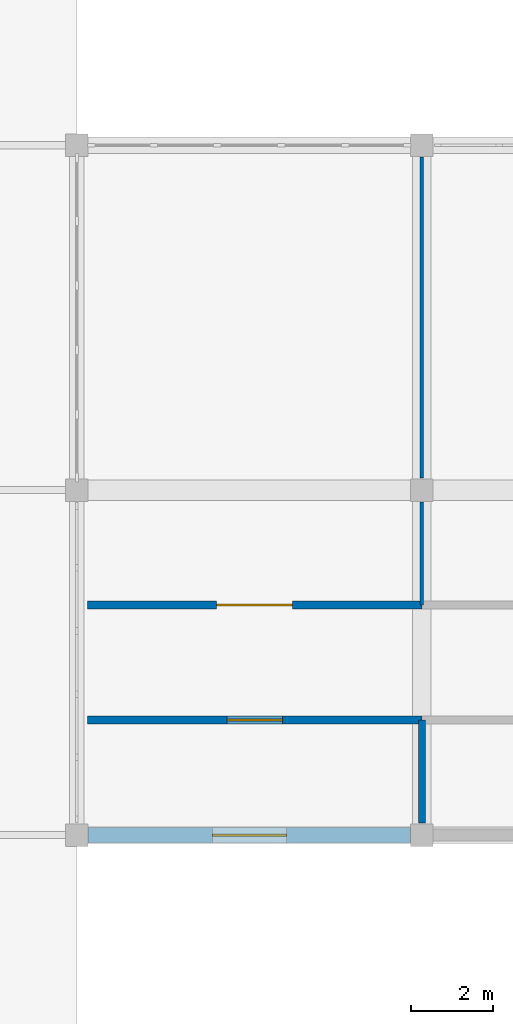
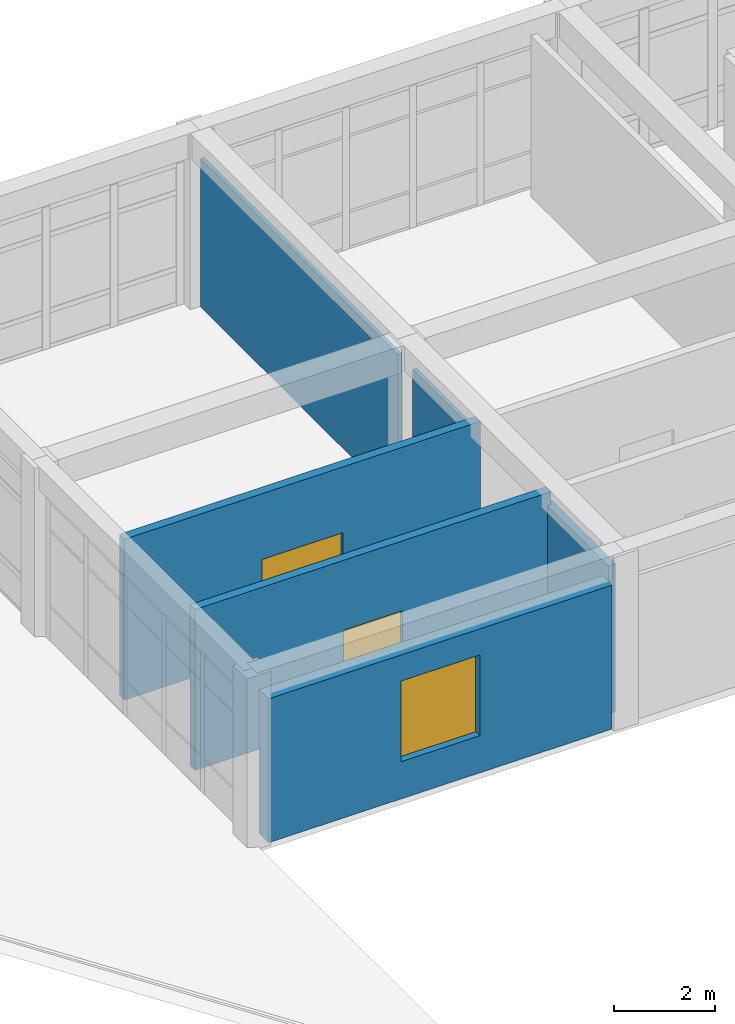
# One storey, part 44 of 77: 6 walls, 2 doors, 1 window, 3 openings.
"""IFC4 building model written with IfcOpenShell, lengths in metres."""

from ifc_helpers import new_model, si_unit, direction, frame, frame_2d, origin, place, context, subcontext, project, spatial, rectangle, extrude, material, layer, layer_set, type_object, element, fill, save


model = new_model("IFC4")

# Units and contexts
model_context = context("Model", 3, precision=1e-05, world=origin(), true_north=direction((0.0, 1.0)))
body_context = subcontext(model_context, "Body", "Model", "MODEL_VIEW")
ifc_project = project(units=[si_unit("LENGTHUNIT", "METRE"), si_unit("AREAUNIT", "SQUARE_METRE"), si_unit("VOLUMEUNIT", "CUBIC_METRE"), si_unit("PLANEANGLEUNIT", "RADIAN"), si_unit("MASSUNIT", "GRAM", prefix="KILO")], contexts=[model_context])

# Site, building, storey
site_placement = place(None, origin())
site = spatial("IfcSite", under=ifc_project, at=site_placement, CompositionType="ELEMENT")
building_placement = place(site_placement, origin())
building = spatial("IfcBuilding", under=site, at=building_placement, Name="Varncliffe General Hospital", CompositionType="ELEMENT")
storey_placement = place(building_placement, frame((0.0, 0.0, 16.199951171875)))
storey = spatial("IfcBuildingStorey", under=building, at=storey_placement, Name="L03", CompositionType="ELEMENT", Elevation=16.199951171875)

# Wall, opening, window
ifc_material_1 = material(Name="Precast concrete C40/50 with insulated cream lime-cement stucco", Category="concrete")
ifc_layer_1 = layer(ifc_material_1, 0.3798828125)
ifc_layer_set_1 = layer_set([ifc_layer_1], Name="Precast concrete C40/50 with insulated cream lime-cement stucco")
wall_type_1 = type_object("IfcWallType", Name="Exterior Insulated Stucco Wall EW26 (380mm)", PredefinedType="SOLIDWALL", material=ifc_layer_set_1)
wall_1_placement = place(storey_placement, frame((125.72705078125, 24.0, 0.0), z_axis=(0.0, 0.0, 1.0), x_axis=(-1.0, 0.0, 0.0)))
wall_1 = element("IfcWall", 1, at=wall_1_placement, inside=storey, type_object=wall_type_1, Name="L03 Exterior Stucco Wall EW26-284", PredefinedType="SOLIDWALL", context=body_context, shape_type="SweptSolid", body=[
    extrude(rectangle(XDim=7.85400390625, YDim=0.3798828125, at=frame_2d((3.927001953125, 0.0))), origin(), (0.0, 0.0, 1.0), 3.47998046875),
])
opening_1_placement = place(wall_1_placement, frame((3.027099609375, 0.0, 0.89990234375)))
opening_1 = element("IfcOpeningElement", 2, at=opening_1_placement, cuts=wall_1, Name="Opening WN78", PredefinedType="OPENING", context=body_context, shape_type="SweptSolid", body=[
    extrude(rectangle(XDim=1.800048828125, YDim=1.949951171875, at=frame_2d((0.89990234375, 0.97509765625))), frame((0.0, 0.199951171875, 0.0), z_axis=(0.0, -1.0, 0.0), x_axis=(1.0, 0.0, 0.0)), (0.0, 0.0, 1.0), 0.39990234375),
])
ifc_material_2 = material(Name="Triple low-E argon insulated vision glazing", Category="glass")
window_type = type_object("IfcWindowType", Name="Triple-Glazed Hospital Window WN78 (1800x1950)", PartitioningType="DOUBLE_PANEL_VERTICAL", PredefinedType="WINDOW", material=ifc_material_2)
window_placement = place(opening_1_placement, origin())
window = element("IfcWindow", 3, at=window_placement, inside=storey, type_object=window_type, Name="L03 Hospital Window WN78-204", OverallHeight=1.949951171875, OverallWidth=1.800048828125, PartitioningType="DOUBLE_PANEL_VERTICAL", PredefinedType="WINDOW", context=body_context, shape_type="SweptSolid", body=[
    extrude(rectangle(XDim=1.800048828125, YDim=1.949951171875, at=frame_2d((0.89990234375, 0.97509765625))), frame((0.0, 0.030029296875, 0.0), z_axis=(0.0, -1.0, 0.0), x_axis=(1.0, 0.0, 0.0)), (0.0, 0.0, 1.0), 0.06005859375),
])
fill(opening_1, window)

# Walls
ifc_material_3 = material(Name="Acoustic clinical gypsum stud partition assembly", Category="gypsum")
ifc_layer_2 = layer(ifc_material_3, 0.169921875)
ifc_layer_set_2 = layer_set([ifc_layer_2], Name="Acoustic clinical gypsum stud partition assembly")
wall_type_2 = type_object("IfcWallType", Name="Interior Partitioning IW20 (170mm)", PredefinedType="PARTITIONING", material=ifc_layer_set_2)
wall_2_placement = place(storey_placement, frame((126.0, 24.2900390625, 0.0), z_axis=(0.0, 0.0, 1.0), x_axis=(0.0, 1.0, 0.0)))
element("IfcWall", 4, at=wall_2_placement, inside=storey, type_object=wall_type_2, Name="L03 Interior Partition Wall IW20-1605", PredefinedType="PARTITIONING", context=body_context, shape_type="SweptSolid", body=[
    extrude(rectangle(XDim=2.510009765625, YDim=0.169921875, at=frame_2d((1.2548828125, 0.0))), origin(), (0.0, 0.0, 1.0), 3.5849609375),
])
ifc_layer_3 = layer(ifc_material_3, 0.090087890625)
ifc_layer_set_3 = layer_set([ifc_layer_3], Name="Acoustic clinical gypsum stud partition assembly")
wall_type_3 = type_object("IfcWallType", Name="Interior Partitioning IW42 (90mm)", PredefinedType="PARTITIONING", material=ifc_layer_set_3)
wall_3_placement = place(storey_placement, frame((126.0, 32.68994140625, 0.0), z_axis=(0.0, 0.0, 1.0), x_axis=(0.0, 1.0, 0.0)))
element("IfcWall", 5, at=wall_3_placement, inside=storey, type_object=wall_type_3, Name="L03 Interior Partition Wall IW42-1606", PredefinedType="PARTITIONING", context=body_context, shape_type="SweptSolid", body=[
    extrude(rectangle(XDim=7.820068359375, YDim=0.090087890625, at=frame_2d((3.91015625, 0.0))), origin(), (0.0, 0.0, 1.0), 3.5849609375),
])
wall_4_placement = place(storey_placement, frame((126.0, 29.60009765625, 0.0), z_axis=(0.0, 0.0, 1.0), x_axis=(0.0, 1.0, 0.0)))
element("IfcWall", 6, at=wall_4_placement, inside=storey, type_object=wall_type_3, Name="L03 Interior Partition Wall IW42-1607", PredefinedType="PARTITIONING", context=body_context, shape_type="SweptSolid", body=[
    extrude(rectangle(XDim=2.510009765625, YDim=0.090087890625, at=frame_2d((1.2548828125, 0.0))), origin(), (0.0, 0.0, 1.0), 3.5849609375),
])

# Wall, opening, door
ifc_material_4 = material(Name="Fire-rated gypsum and mineral-wool partition assembly", Category="gypsum")
ifc_layer_4 = layer(ifc_material_4, 0.199951171875)
ifc_layer_set_4 = layer_set([ifc_layer_4], Name="Fire-rated gypsum and mineral-wool partition assembly")
wall_type_4 = type_object("IfcWallType", Name="Interior Partitioning PW63 (200mm)", PredefinedType="PARTITIONING", material=ifc_layer_set_4)
wall_5_placement = place(storey_placement, frame((117.860107421875, 26.800048828125, 0.0), z_axis=(0.0, 0.0, 1.0), x_axis=(1.0, 0.0, 0.0)))
wall_5 = element("IfcWall", 7, at=wall_5_placement, inside=storey, type_object=wall_type_4, Name="L03 Interior Partition Wall PW63-1328", PredefinedType="PARTITIONING", context=body_context, shape_type="SweptSolid", body=[
    extrude(rectangle(XDim=8.139892578125, YDim=0.199951171875, at=frame_2d((4.06982421875, 0.0))), origin(), (0.0, 0.0, 1.0), 3.89013671875),
])
opening_2_placement = place(wall_5_placement, frame((3.39501953125, 0.0, 0.0)))
opening_2 = element("IfcOpeningElement", 8, at=opening_2_placement, cuts=wall_5, Name="Opening DC85", PredefinedType="OPENING", context=body_context, shape_type="SweptSolid", body=[
    extrude(rectangle(XDim=1.35009765625, YDim=2.199951171875, at=frame_2d((0.675048828125, 1.10009765625))), frame((0.0, 0.10986328125, 0.0), z_axis=(0.0, -1.0, 0.0), x_axis=(1.0, 0.0, 0.0)), (0.0, 0.0, 1.0), 0.219970703125),
])
ifc_material_5 = material(Name="Fire-rated hospital steel-frame vision-panel door", Category="steel")
door_type_1 = type_object("IfcDoorType", Name="Interior Hospital Door DC85 (1350x2200)", OperationType="NOTDEFINED", PredefinedType="DOOR", material=ifc_material_5)
door_1_placement = place(opening_2_placement, frame((1.35009765625, 0.0, 0.0), z_axis=(0.0, 0.0, 1.0), x_axis=(-1.0, 0.0, 0.0)))
door_1 = element("IfcDoor", 9, at=door_1_placement, inside=storey, type_object=door_type_1, Name="L03 Oncology Chemotherapy Infusion Suite 96 Door", OperationType="SINGLE_SWING_LEFT", OverallHeight=2.199951171875, OverallWidth=1.35009765625, PredefinedType="DOOR", context=body_context, shape_type="SweptSolid", body=[
    extrude(rectangle(XDim=1.35009765625, YDim=2.199951171875, at=frame_2d((0.675048828125, 1.10009765625))), frame((0.0, 0.02490234375, 0.0), z_axis=(0.0, -1.0, 0.0), x_axis=(1.0, 0.0, 0.0)), (0.0, 0.0, 1.0), 0.050048828125),
])
fill(opening_2, door_1)

wall_6_placement = place(storey_placement, frame((117.860107421875, 29.60009765625, 0.0), z_axis=(0.0, 0.0, 1.0), x_axis=(1.0, 0.0, 0.0)))
wall_6 = element("IfcWall", 10, at=wall_6_placement, inside=storey, type_object=wall_type_4, Name="L03 Interior Partition Wall PW63-1332", PredefinedType="PARTITIONING", context=body_context, shape_type="SweptSolid", body=[
    extrude(rectangle(XDim=8.139892578125, YDim=0.199951171875, at=frame_2d((4.06982421875, 0.0))), origin(), (0.0, 0.0, 1.0), 3.89013671875),
])
opening_3_placement = place(wall_6_placement, frame((3.14501953125, 0.0, 0.0)))
opening_3 = element("IfcOpeningElement", 11, at=opening_3_placement, cuts=wall_6, Name="Opening DC38", PredefinedType="OPENING", context=body_context, shape_type="SweptSolid", body=[
    extrude(rectangle(XDim=1.85009765625, YDim=2.300048828125, at=frame_2d((0.925048828125, 1.14990234375))), frame((0.0, 0.10986328125, 0.0), z_axis=(0.0, -1.0, 0.0), x_axis=(1.0, 0.0, 0.0)), (0.0, 0.0, 1.0), 0.219970703125),
])
door_type_2 = type_object("IfcDoorType", Name="Interior Hospital Door DC38 (1850x2300)", OperationType="NOTDEFINED", PredefinedType="DOOR", material=ifc_material_5)
door_2_placement = place(opening_3_placement, origin())
door_2 = element("IfcDoor", 12, at=door_2_placement, inside=storey, type_object=door_type_2, Name="L03 Oncology Chemotherapy Infusion Suite 92 Door", OperationType="SINGLE_SWING_LEFT", OverallHeight=2.300048828125, OverallWidth=1.85009765625, PredefinedType="DOOR", context=body_context, shape_type="SweptSolid", body=[
    extrude(rectangle(XDim=1.85009765625, YDim=2.300048828125, at=frame_2d((0.925048828125, 1.14990234375))), frame((0.0, 0.02490234375, 0.0), z_axis=(0.0, -1.0, 0.0), x_axis=(1.0, 0.0, 0.0)), (0.0, 0.0, 1.0), 0.050048828125),
])
fill(opening_3, door_2)

save(model, "model.ifc")
